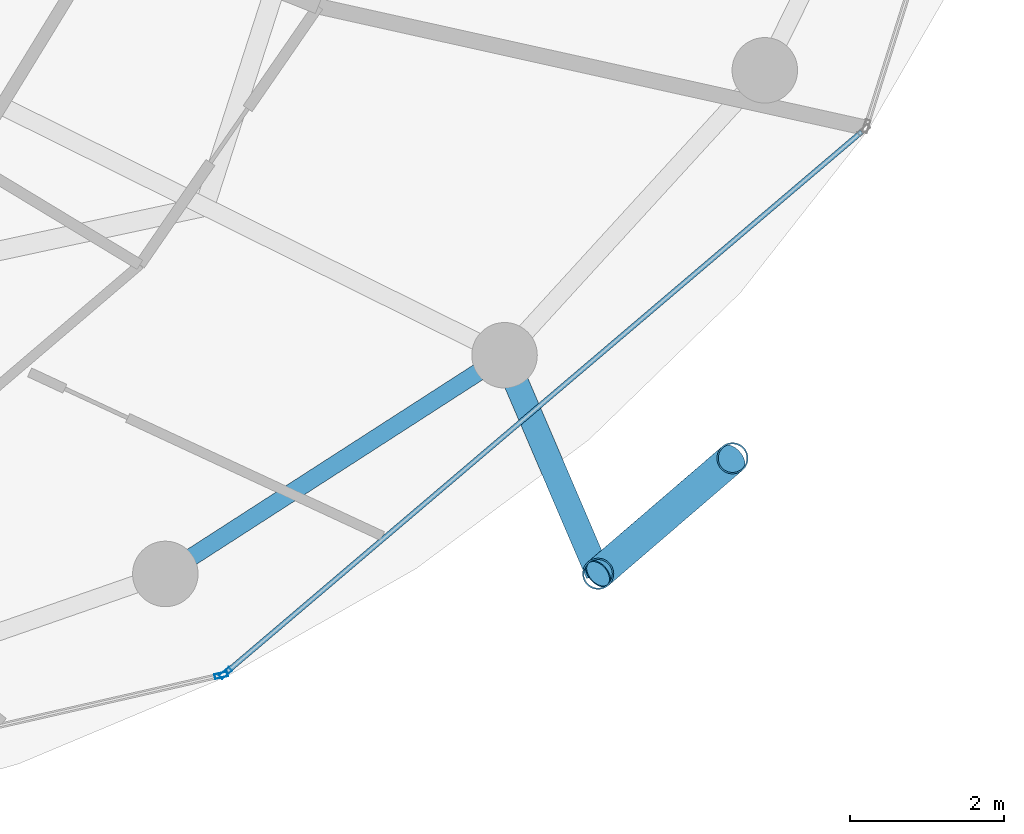
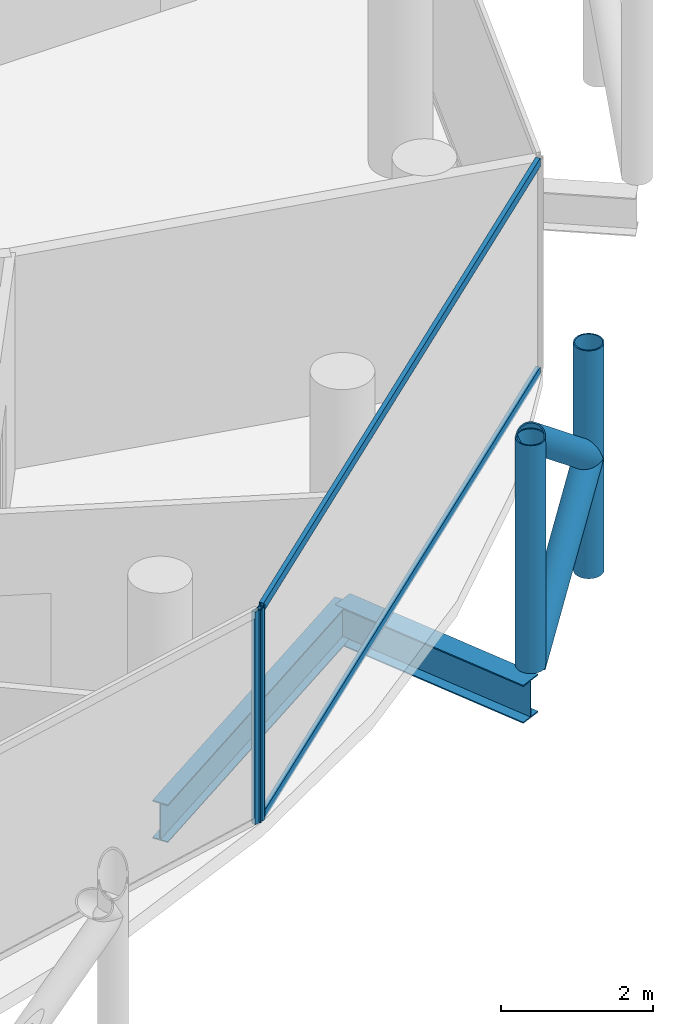
# One storey, part 11 of 27: 8 members, 2 beams, 2 elements without a shape of their own.
"""IFC4 building model written with IfcOpenShell, lengths in metres."""

import ifcopenshell
import ifcopenshell.guid

model = None  # the IFC model being written
_history = None  # IfcOwnerHistory: only IFC2X3 demands one
_inside = {}  # id of a spatial element -> (the spatial element, [elements in it])
_under = {}  # id of a project, library or spatial element -> (it, [spatial elements below it])
_declared = {}  # id of a project -> (the project, [libraries it declares])
_typed = {}  # id of a type object -> (the type object, [elements of that type])
_made_of = {}  # id of a material, layer set ... -> (it, [elements and type objects made of it])


def new_model(schema):
    """Start an empty IFC model of exactly this schema.

    Asked for "IFC4X3", IfcOpenShell would pick the latest addendum, in which some entities
    have other attributes; the version numbers below select the first issue.
    IFC2X3 requires an IfcOwnerHistory on every rooted entity: one is made here for all.
    """
    global model, _history
    if schema == "IFC4X3":
        model = ifcopenshell.file(schema_version=(4, 3, 0, 0))
    else:
        model = ifcopenshell.file(schema=schema)
    _inside.clear()
    _under.clear()
    _declared.clear()
    _typed.clear()
    _made_of.clear()
    _history = None
    if model.schema == "IFC2X3":
        org = make("IfcOrganization", Name="unknown")
        user = make(
            "IfcPersonAndOrganization",
            ThePerson=make("IfcPerson", FamilyName="unknown"),
            TheOrganization=org,
        )
        app = make(
            "IfcApplication",
            ApplicationDeveloper=org,
            Version="unknown",
            ApplicationFullName="unknown",
            ApplicationIdentifier="unknown",
        )
        _history = make(
            "IfcOwnerHistory",
            OwningUser=user,
            OwningApplication=app,
            ChangeAction="ADDED",
            CreationDate=0,
        )
    return model


def make(cls, **values):
    """One entity of the class cls with the attributes given. An attribute that is None is left unset."""
    return model.create_entity(
        cls, **{name: value for name, value in values.items() if value is not None}
    )


def rooted(cls, **values):
    """An entity with a GlobalId (a new one), such as an element, a storey or a relation."""
    return make(cls, GlobalId=ifcopenshell.guid.new(), OwnerHistory=_history, **values)


def si_unit(unit_type, name, prefix=None):
    """IfcSIUnit, for example si_unit("LENGTHUNIT", "METRE", prefix="MILLI")."""
    return make("IfcSIUnit", UnitType=unit_type, Prefix=prefix, Name=name)


def assignment(units):
    """IfcUnitAssignment: the units of a project."""
    return None if units is None else make("IfcUnitAssignment", Units=units)


def point(xyz):
    """IfcCartesianPoint."""
    return None if xyz is None else make("IfcCartesianPoint", Coordinates=xyz)


def direction(xyz):
    """IfcDirection."""
    return None if xyz is None else make("IfcDirection", DirectionRatios=xyz)


def frame(location, z_axis=None, x_axis=None):
    """IfcAxis2Placement3D, a coordinate frame: its origin and axes. An axis left out is left unset."""
    return make(
        "IfcAxis2Placement3D",
        Location=point(location),
        Axis=direction(z_axis),
        RefDirection=direction(x_axis),
    )


def frame_2d(location, x_axis=None):
    """IfcAxis2Placement2D, a coordinate frame in the plane: its origin and x axis."""
    return make(
        "IfcAxis2Placement2D", Location=point(location), RefDirection=direction(x_axis)
    )


def origin():
    """The frame at (0, 0, 0) with its axes left unset."""
    return frame((0.0, 0.0, 0.0))


def origin_2d():
    """The frame at (0, 0) in the plane with its x axis left unset."""
    return frame_2d((0.0, 0.0))


def place(relative_to, where):
    """IfcLocalPlacement: puts the frame where relative to a parent placement (None: the world)."""
    return make(
        "IfcLocalPlacement", PlacementRelTo=relative_to, RelativePlacement=where
    )


def context(
    kind, dimensions, precision=None, world=None, true_north=None, identifier=None
):
    """IfcGeometricRepresentationContext, for example the 3D "Model" context."""
    return make(
        "IfcGeometricRepresentationContext",
        ContextIdentifier=identifier,
        ContextType=kind,
        CoordinateSpaceDimension=dimensions,
        Precision=precision,
        WorldCoordinateSystem=world,
        TrueNorth=true_north,
    )


def subcontext(parent, identifier, kind, view, scale=None):
    """IfcGeometricRepresentationSubContext, for example "Body" below "Model"."""
    return make(
        "IfcGeometricRepresentationSubContext",
        ContextIdentifier=identifier,
        ContextType=kind,
        ParentContext=parent,
        TargetScale=scale,
        TargetView=view,
    )


def project(units=None, contexts=None):
    """IfcProject with its units and contexts."""
    return rooted(
        "IfcProject",
        Name="project",
        RepresentationContexts=contexts,
        UnitsInContext=assignment(units),
    )


def spatial(cls, under=None, at=None, **own):
    """A site, building, storey or space (cls), placed at a placement, below another one or the project."""
    s = rooted(cls, ObjectPlacement=at, **own)
    if under is not None:
        _under.setdefault(under.id(), (under, []))[1].append(s)
    return s


def profile(cls, at=None, kind="AREA", **sizes):
    """A parametric profile (cls). Its sizes go by their IFC names, for example OverallWidth=200.0."""
    return make(cls, ProfileType=kind, Position=at, **sizes)


def hollow_rectangle(**sizes):
    """IfcRectangleHollowProfileDef."""
    return profile("IfcRectangleHollowProfileDef", **sizes)


def hollow_circle(**sizes):
    """IfcCircleHollowProfileDef."""
    return profile("IfcCircleHollowProfileDef", **sizes)


def i_section(**sizes):
    """IfcIShapeProfileDef."""
    return profile("IfcIShapeProfileDef", **sizes)


def extrude(swept, where, along, depth):
    """IfcExtrudedAreaSolid: the profile swept, set in the frame where, extruded along a direction by depth."""
    return make(
        "IfcExtrudedAreaSolid",
        SweptArea=swept,
        Position=where,
        ExtrudedDirection=direction(along),
        Depth=depth,
    )


def shape(context_of_items, identifier, shape_type, items):
    """IfcShapeRepresentation: the items that make up one representation, for example the "Body"."""
    return make(
        "IfcShapeRepresentation",
        ContextOfItems=context_of_items,
        RepresentationIdentifier=identifier,
        RepresentationType=shape_type,
        Items=items,
    )


def material(Name=None, Category=None):
    """IfcMaterial."""
    return make("IfcMaterial", Name=Name, Category=Category)


def layer(
    of_material, thickness, ventilated=None, Name=None, Category=None, Priority=None
):
    """IfcMaterialLayer: one layer of a wall or slab, of a material (None: an air gap)."""
    return make(
        "IfcMaterialLayer",
        Material=of_material,
        LayerThickness=thickness,
        IsVentilated=ventilated,
        Name=Name,
        Category=Category,
        Priority=Priority,
    )


def layer_set(layers, Name=None):
    """IfcMaterialLayerSet."""
    return make("IfcMaterialLayerSet", MaterialLayers=layers, LayerSetName=Name)


def material_profile(
    of_material, cross_section, Name=None, Category=None, Priority=None
):
    """IfcMaterialProfile: a cross section and its material."""
    return make(
        "IfcMaterialProfile",
        Name=Name,
        Material=of_material,
        Profile=cross_section,
        Priority=Priority,
        Category=Category,
    )


def profile_set(profiles, Name=None, composite=None):
    """IfcMaterialProfileSet."""
    return make(
        "IfcMaterialProfileSet",
        Name=Name,
        MaterialProfiles=profiles,
        CompositeProfile=composite,
    )


def made_of(thing, what):
    """Note that an element or type object is made of a material, layer set ...; save() writes the relation."""
    if what is not None:
        _made_of.setdefault(what.id(), (what, []))[1].append(thing)
    return thing


def type_object(cls, material=None, **own):
    """A type object (cls), such as IfcWallType, which elements share."""
    return made_of(rooted(cls, **own), material)


def element(
    cls,
    number,
    at=None,
    inside=None,
    cuts=None,
    type_object=None,
    material=None,
    context=None,
    identifier="Body",
    shape_type=None,
    held_by="IfcProductDefinitionShape",
    body=None,
    shapes=None,
    **own,
):
    """One element of the class cls, such as IfcWall. Its Tag is "e" and its number.

    at: its placement. inside: the storey or other place that contains it. cuts: it is an
    opening in that element (IfcRelVoidsElement). A single representation is given by context,
    identifier, shape_type and body (its items); several are given by shapes. held_by: the class
    of the entity that holds the representations. save() writes the other relations.
    """
    e = rooted(cls, Tag="e%d" % number, ObjectPlacement=at, **own)
    if body is not None:
        shapes = [shape(context, identifier, shape_type, body)]
    if shapes is not None:
        e.Representation = make(held_by, Representations=shapes)
    if inside is not None:
        _inside.setdefault(inside.id(), (inside, []))[1].append(e)
    if cuts is not None:
        rooted(
            "IfcRelVoidsElement", RelatingBuildingElement=cuts, RelatedOpeningElement=e
        )
    if type_object is not None:
        _typed.setdefault(type_object.id(), (type_object, []))[1].append(e)
    return made_of(e, material)


def aggregate(whole, parts):
    """IfcRelAggregates: a whole, such as a stair, and the parts it consists of."""
    return rooted("IfcRelAggregates", RelatingObject=whole, RelatedObjects=parts)


def save(model, path):
    """Write the relations noted so far, then the file.

    IfcRelAggregates (storeys below a building ...), IfcRelContainedInSpatialStructure (elements
    in a storey), IfcRelDefinesByType, IfcRelAssociatesMaterial and IfcRelDeclares: one each for
    every whole, place, type object, material and project.
    """
    for whole, parts in _under.values():
        aggregate(whole, parts)
    for where, things in _inside.values():
        rooted(
            "IfcRelContainedInSpatialStructure",
            RelatedElements=things,
            RelatingStructure=where,
        )
    for kind, things in _typed.values():
        rooted("IfcRelDefinesByType", RelatedObjects=things, RelatingType=kind)
    for what, things in _made_of.values():
        rooted("IfcRelAssociatesMaterial", RelatedObjects=things, RelatingMaterial=what)
    for by, libraries in _declared.values():
        rooted("IfcRelDeclares", RelatingContext=by, RelatedDefinitions=libraries)
    model.write(path)


model = new_model("IFC4")

# Units and contexts
model_context = context("Model", 3, precision=1e-05, world=origin(), true_north=direction((0.0, 1.0)))
body_context = subcontext(model_context, "Body", "Model", "MODEL_VIEW")
ifc_project = project(units=[si_unit("LENGTHUNIT", "METRE"), si_unit("AREAUNIT", "SQUARE_METRE"), si_unit("VOLUMEUNIT", "CUBIC_METRE"), si_unit("PLANEANGLEUNIT", "RADIAN"), si_unit("MASSUNIT", "GRAM", prefix="KILO")], contexts=[model_context])

# Site, building, storey
site_placement = place(None, origin())
site = spatial("IfcSite", under=ifc_project, at=site_placement, CompositionType="ELEMENT")
building_placement = place(site_placement, origin())
building = spatial("IfcBuilding", under=site, at=building_placement, Name="Nuhasar Tower", CompositionType="ELEMENT")
storey_placement = place(building_placement, frame((0.0, 0.0, 237.35009765625)))
storey = spatial("IfcBuildingStorey", under=building, at=storey_placement, Name="L58", CompositionType="ELEMENT", Elevation=237.35009765625)

# Beams
ifc_material_1 = material(Name="Steel S355", Category="steel")
ifc_material_profile_1 = material_profile(ifc_material_1, i_section(OverallWidth=0.22802734375, OverallDepth=0.60791015625, WebThickness=0.01123046875, FlangeThickness=0.017333984375, at=origin_2d()), Name="W24X76")
ifc_profile_set_1 = profile_set([ifc_material_profile_1], Name="Steel S355")
beam_type_1 = type_object("IfcBeamType", Name="BM-RING-W24X76", PredefinedType="SPANDREL", material=ifc_profile_set_1)
beam_1_placement = place(storey_placement, frame((49.625, 11.341064453125, -0.544189453125), z_axis=(0.840502144969, 0.541808217272, 0.0), x_axis=(-0.541808217272, 0.840502144969, 0.0)))
element("IfcBeam", 1, at=beam_1_placement, inside=storey, type_object=beam_type_1, Name="L58 Perimeter Ring Spandrel 21", PredefinedType="SPANDREL", context=body_context, shape_type="SweptSolid", body=[
    extrude(i_section(OverallWidth=0.22802734375, OverallDepth=0.60791015625, WebThickness=0.01123046875, FlangeThickness=0.017333984375, at=origin_2d()), origin(), (0.0, 0.0, 1.0), 5.236083984375),
])
ifc_material_profile_2 = material_profile(ifc_material_1, i_section(OverallWidth=0.323974609375, OverallDepth=0.611083984375, WebThickness=0.0126953125, FlangeThickness=0.01904296875, at=origin_2d()), Name="W24X104")
ifc_profile_set_2 = profile_set([ifc_material_profile_2], Name="Steel S355")
beam_type_2 = type_object("IfcBeamType", Name="BM-TIE-W24X104", PredefinedType="BEAM", material=ifc_profile_set_2)
beam_2_placement = place(storey_placement, frame((54.02587890625, 14.177978515625, -0.545166015625), z_axis=(0.393680429682, -0.919247365667, 0.0), x_axis=(0.919247365667, 0.393680429682, 0.0)))
element("IfcBeam", 2, at=beam_2_placement, inside=storey, type_object=beam_type_2, Name="L58 Exoskeleton Node Tie Beam 11", PredefinedType="BEAM", context=body_context, shape_type="SweptSolid", body=[
    extrude(i_section(OverallWidth=0.323974609375, OverallDepth=0.611083984375, WebThickness=0.0126953125, FlangeThickness=0.01904296875, at=origin_2d()), origin(), (0.0, 0.0, 1.0), 3.083984375),
])

# Curtain wall, member
ifc_material_2 = material(Name="Aluminium 6063-T6", Category="aluminium")
ifc_layer = layer(ifc_material_2, 0.18994140625)
ifc_layer_set = layer_set([ifc_layer], Name="Aluminium 6063-T6")
curtain_wall_type = type_object("IfcCurtainWallType", Name="CW-Z3-RES", PredefinedType="NOTDEFINED", material=ifc_layer_set)
curtain_wall_1_placement = place(storey_placement, origin())
curtain_wall_1 = element("IfcCurtainWall", 3, at=curtain_wall_1_placement, inside=storey, type_object=curtain_wall_type, Name="L58 Unitised Curtain Wall 10", PredefinedType="NOTDEFINED")
ifc_material_profile_3 = material_profile(ifc_material_2, hollow_rectangle(XDim=0.06494140625, YDim=0.169921875, WallThickness=0.0048828125, at=origin_2d()), Name="CWM-4")
ifc_profile_set_3 = profile_set([ifc_material_profile_3], Name="Aluminium 6063-T6")
member_type_1 = type_object("IfcMemberType", Name="CW-MUL-S4", PredefinedType="MULLION", material=ifc_profile_set_3)
member_1_placement = place(storey_placement, frame((50.348388671875, 10.02685546875, 0.0), z_axis=(0.0, 0.0, 1.0), x_axis=(-0.222243176313, 0.974991266926, 0.0)))
member_1 = element("IfcMember", 4, at=member_1_placement, type_object=member_type_1, Name="CW-Z3 mullion 2", PredefinedType="MULLION", context=body_context, shape_type="SweptSolid", body=[
    extrude(hollow_rectangle(XDim=0.06494140625, YDim=0.169921875, WallThickness=0.0048828125, at=origin_2d()), origin(), (0.0, 0.0, 1.0), 3.409912109375),
])
aggregate(curtain_wall_1, [member_1])

# Curtain wall, members
curtain_wall_2_placement = place(storey_placement, origin())
curtain_wall_2 = element("IfcCurtainWall", 5, at=curtain_wall_2_placement, inside=storey, type_object=curtain_wall_type, Name="L58 Unitised Curtain Wall 11", PredefinedType="NOTDEFINED")
member_2_placement = place(storey_placement, frame((50.40478515625, 10.05517578125, 0.0), z_axis=(0.0, 0.0, 1.0), x_axis=(-0.64789521578, 0.761729472562, 0.0)))
member_2 = element("IfcMember", 6, at=member_2_placement, type_object=member_type_1, Name="CW-Z3 mullion 1", PredefinedType="MULLION", context=body_context, shape_type="SweptSolid", body=[
    extrude(hollow_rectangle(XDim=0.06494140625, YDim=0.169921875, WallThickness=0.0048828125, at=origin_2d()), origin(), (0.0, 0.0, 1.0), 3.409912109375),
])
ifc_material_profile_4 = material_profile(ifc_material_2, hollow_rectangle(XDim=0.06494140625, YDim=0.139892578125, WallThickness=0.00439453125, at=origin_2d()), Name="CWT-4")
ifc_profile_set_4 = profile_set([ifc_material_profile_4], Name="Aluminium 6063-T6")
member_type_2 = type_object("IfcMemberType", Name="CW-TRN-S4", PredefinedType="USERDEFINED", material=ifc_profile_set_4)
member_3_placement = place(storey_placement, frame((50.429443359375, 10.076171875, 0.032470703125), z_axis=(0.761730809511, 0.647893643928, 0.0), x_axis=(-0.647893643928, 0.761730809511, 0.0)))
member_3 = element("IfcMember", 7, at=member_3_placement, type_object=member_type_2, Name="CW-Z3 transom 1.1", ObjectType="TRANSOM", PredefinedType="USERDEFINED", context=body_context, shape_type="SweptSolid", body=[
    extrude(hollow_rectangle(XDim=0.06494140625, YDim=0.139892578125, WallThickness=0.00439453125, at=origin_2d()), origin(), (0.0, 0.0, 1.0), 10.806884765625),
])
member_4_placement = place(storey_placement, frame((50.429443359375, 10.076171875, 3.37744140625), z_axis=(0.761730809511, 0.647893643928, 0.0), x_axis=(-0.647893643928, 0.761730809511, 0.0)))
member_4 = element("IfcMember", 8, at=member_4_placement, type_object=member_type_2, Name="CW-Z3 transom 1.2", ObjectType="TRANSOM", PredefinedType="USERDEFINED", context=body_context, shape_type="SweptSolid", body=[
    extrude(hollow_rectangle(XDim=0.06494140625, YDim=0.139892578125, WallThickness=0.00439453125, at=origin_2d()), origin(), (0.0, 0.0, 1.0), 10.806884765625),
])
aggregate(curtain_wall_2, [member_2, member_3, member_4])

# Members
ifc_material_3 = material(Name="Steel S460", Category="steel")
ifc_material_profile_5 = material_profile(ifc_material_3, hollow_circle(Radius=0.203125, WallThickness=0.01904296875, at=origin_2d()), Name="HSS406.4X19.1")
ifc_profile_set_5 = profile_set([ifc_material_profile_5], Name="Steel S460")
member_type_3 = type_object("IfcMemberType", Name="EXO-BRONZE-406", PredefinedType="BRACE", material=ifc_profile_set_5)
for number, where, z_axis, x_axis, name in (
    (9, (55.239990234375, 11.343017578125, 0.0), (0.0, 0.0, 1.0), (1.0, 0.0, 0.0), "L58 Exoskeleton Chord Column EC-11A"),
    (10, (56.98388671875, 12.842041015625, 0.0), (0.0, 0.0, 1.0), (1.0, 0.0, 0.0), "L58 Exoskeleton Chord Column EC-11B"),
):
    element("IfcMember", number, at=place(storey_placement, frame(where, z_axis=z_axis, x_axis=x_axis)), inside=storey, type_object=member_type_3, Name=name, PredefinedType="BRACE", context=body_context, shape_type="SweptSolid", body=[
        extrude(hollow_circle(Radius=0.203125, WallThickness=0.01904296875, at=origin_2d()), origin(), (0.0, 0.0, 1.0), 3.64990234375),
    ])
for number, where, z_axis, x_axis, name in (
    (11, (55.239990234375, 11.343017578125, 0.0), (0.594018535389, 0.510608120858, 0.621627964725), (-0.65185738425, 0.758341579104, 0.0), "L58 Bronze Diagrid Brace W1-11"),
    (12, (56.98388671875, 12.842041015625, 1.824951171875), (-0.594018535389, -0.510608120858, 0.621627964725), (0.65185738425, -0.758341579104, 0.0), "L58 Bronze Diagrid Brace W2-11"),
):
    element("IfcMember", number, at=place(storey_placement, frame(where, z_axis=z_axis, x_axis=x_axis)), inside=storey, type_object=member_type_3, Name=name, PredefinedType="BRACE", context=body_context, shape_type="SweptSolid", body=[
        extrude(hollow_circle(Radius=0.203125, WallThickness=0.01904296875, at=origin_2d()), origin(), (0.0, 0.0, 1.0), 2.935791015625),
    ])

save(model, "model.ifc")
